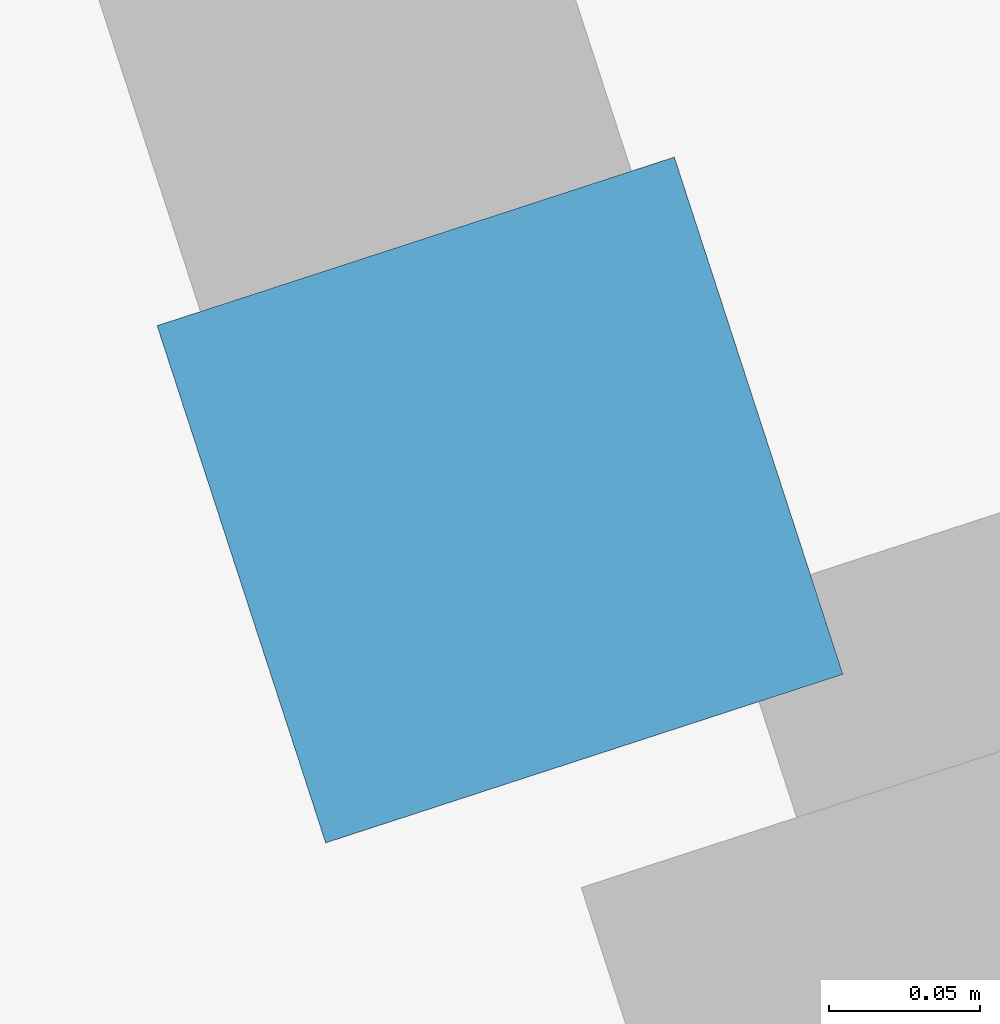
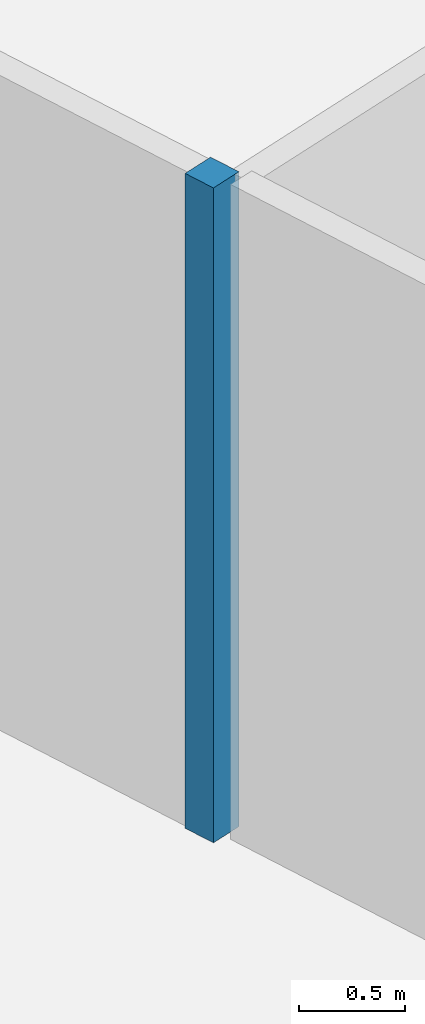
# One storey, part 3 of 16: 1 plate.
"""IFC4 building model written with IfcOpenShell, lengths in metres."""

from ifc_helpers import new_model, si_unit, direction, frame, origin, origin_2d, place, context, subcontext, project, spatial, rectangle, extrude, material, layer, layer_set, type_object, element, save


model = new_model("IFC4")

# Units and contexts
model_context = context("Model", 3, precision=1e-05, world=origin(), true_north=direction((0.0, 1.0)))
body_context = subcontext(model_context, "Body", "Model", "MODEL_VIEW")
ifc_project = project(units=[si_unit("LENGTHUNIT", "METRE"), si_unit("AREAUNIT", "SQUARE_METRE"), si_unit("VOLUMEUNIT", "CUBIC_METRE"), si_unit("PLANEANGLEUNIT", "RADIAN"), si_unit("MASSUNIT", "GRAM", prefix="KILO")], contexts=[model_context])

# Site, building, storey
site_placement = place(None, origin())
site = spatial("IfcSite", under=ifc_project, at=site_placement, CompositionType="ELEMENT")
building_placement = place(site_placement, origin())
building = spatial("IfcBuilding", under=site, at=building_placement, Name="Gaonmaruhae Medical Tower", CompositionType="ELEMENT")
storey_placement = place(building_placement, frame((0.0, 0.0, 100.39990234375)))
storey = spatial("IfcBuildingStorey", under=building, at=storey_placement, Name="L23", CompositionType="ELEMENT", Elevation=100.39990234375)

# Plate
ifc_material = material(Name="Anodised aluminium 6063-T6", Category="aluminium")
ifc_layer = layer(ifc_material, 0.011962890625)
ifc_layer_set = layer_set([ifc_layer], Name="Anodised aluminium 6063-T6")
plate_type = type_object("IfcPlateType", Name="PP-01 Interior Partition Corner Stiffener Plate", PredefinedType="SHEET", material=ifc_layer_set)
plate_placement = place(storey_placement, frame((18.61474609375, 22.2099609375, 0.0), z_axis=(0.0, 0.0, 1.0), x_axis=(-0.309846829984, 0.950786485994, 0.0)))
element("IfcPlate", 1, at=plate_placement, inside=storey, type_object=plate_type, Name="L23 Partition End Jamb Post Plate PLT-L23-ENDP-PW096-0", PredefinedType="SHEET", context=body_context, shape_type="SweptSolid", body=[
    extrude(rectangle(XDim=0.179931640625, YDim=0.179931640625, at=origin_2d()), origin(), (0.0, 0.0, 1.0), 3.780029296875),
])

save(model, "model.ifc")
